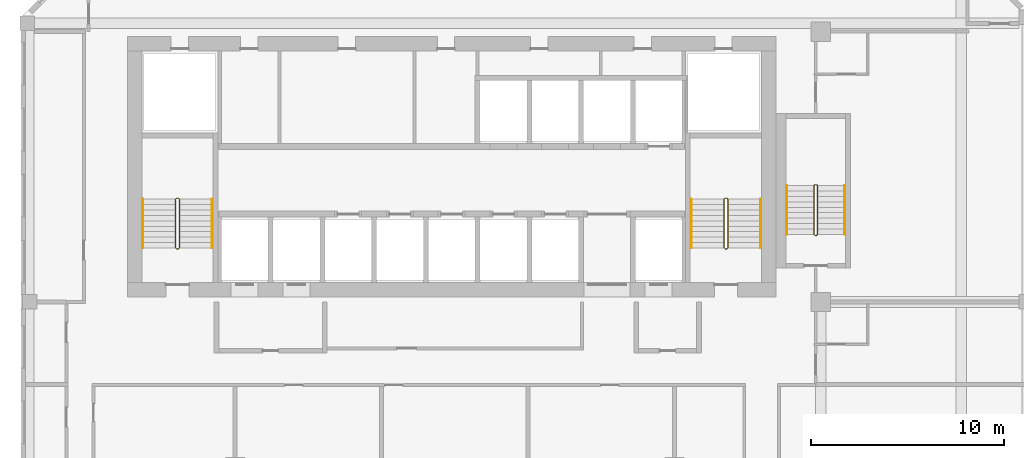
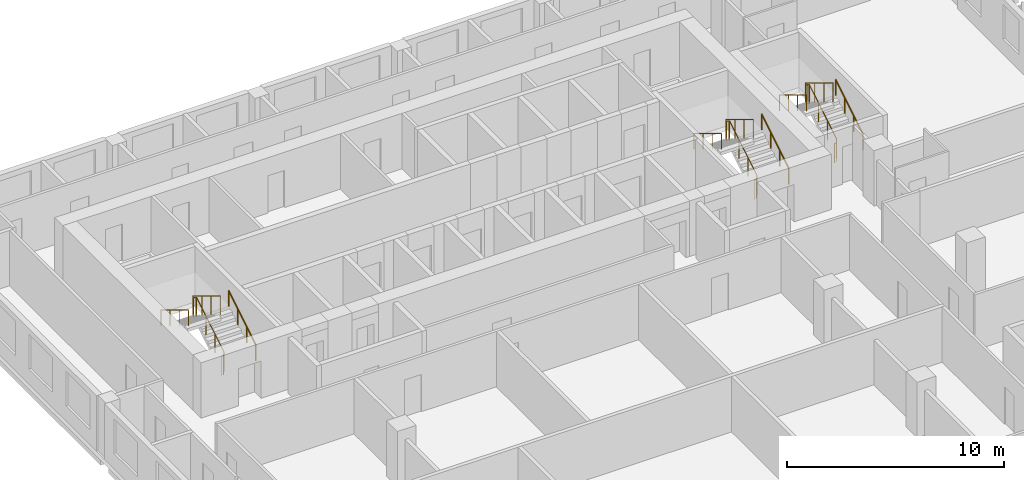
# One storey, part 21 of 22: 9 railings.
"""IFC4 building model written with IfcOpenShell, lengths in metres."""

import ifcopenshell
import ifcopenshell.guid

model = None  # the IFC model being written
_history = None  # IfcOwnerHistory: only IFC2X3 demands one
_inside = {}  # id of a spatial element -> (the spatial element, [elements in it])
_under = {}  # id of a project, library or spatial element -> (it, [spatial elements below it])
_declared = {}  # id of a project -> (the project, [libraries it declares])
_typed = {}  # id of a type object -> (the type object, [elements of that type])
_made_of = {}  # id of a material, layer set ... -> (it, [elements and type objects made of it])


def new_model(schema):
    """Start an empty IFC model of exactly this schema.

    Asked for "IFC4X3", IfcOpenShell would pick the latest addendum, in which some entities
    have other attributes; the version numbers below select the first issue.
    IFC2X3 requires an IfcOwnerHistory on every rooted entity: one is made here for all.
    """
    global model, _history
    if schema == "IFC4X3":
        model = ifcopenshell.file(schema_version=(4, 3, 0, 0))
    else:
        model = ifcopenshell.file(schema=schema)
    _inside.clear()
    _under.clear()
    _declared.clear()
    _typed.clear()
    _made_of.clear()
    _history = None
    if model.schema == "IFC2X3":
        org = make("IfcOrganization", Name="unknown")
        user = make(
            "IfcPersonAndOrganization",
            ThePerson=make("IfcPerson", FamilyName="unknown"),
            TheOrganization=org,
        )
        app = make(
            "IfcApplication",
            ApplicationDeveloper=org,
            Version="unknown",
            ApplicationFullName="unknown",
            ApplicationIdentifier="unknown",
        )
        _history = make(
            "IfcOwnerHistory",
            OwningUser=user,
            OwningApplication=app,
            ChangeAction="ADDED",
            CreationDate=0,
        )
    return model


def make(cls, **values):
    """One entity of the class cls with the attributes given. An attribute that is None is left unset."""
    return model.create_entity(
        cls, **{name: value for name, value in values.items() if value is not None}
    )


def rooted(cls, **values):
    """An entity with a GlobalId (a new one), such as an element, a storey or a relation."""
    return make(cls, GlobalId=ifcopenshell.guid.new(), OwnerHistory=_history, **values)


def si_unit(unit_type, name, prefix=None):
    """IfcSIUnit, for example si_unit("LENGTHUNIT", "METRE", prefix="MILLI")."""
    return make("IfcSIUnit", UnitType=unit_type, Prefix=prefix, Name=name)


def assignment(units):
    """IfcUnitAssignment: the units of a project."""
    return None if units is None else make("IfcUnitAssignment", Units=units)


def point(xyz):
    """IfcCartesianPoint."""
    return None if xyz is None else make("IfcCartesianPoint", Coordinates=xyz)


def direction(xyz):
    """IfcDirection."""
    return None if xyz is None else make("IfcDirection", DirectionRatios=xyz)


def frame(location, z_axis=None, x_axis=None):
    """IfcAxis2Placement3D, a coordinate frame: its origin and axes. An axis left out is left unset."""
    return make(
        "IfcAxis2Placement3D",
        Location=point(location),
        Axis=direction(z_axis),
        RefDirection=direction(x_axis),
    )


def frame_2d(location, x_axis=None):
    """IfcAxis2Placement2D, a coordinate frame in the plane: its origin and x axis."""
    return make(
        "IfcAxis2Placement2D", Location=point(location), RefDirection=direction(x_axis)
    )


def origin():
    """The frame at (0, 0, 0) with its axes left unset."""
    return frame((0.0, 0.0, 0.0))


def origin_2d():
    """The frame at (0, 0) in the plane with its x axis left unset."""
    return frame_2d((0.0, 0.0))


def place(relative_to, where):
    """IfcLocalPlacement: puts the frame where relative to a parent placement (None: the world)."""
    return make(
        "IfcLocalPlacement", PlacementRelTo=relative_to, RelativePlacement=where
    )


def context(
    kind, dimensions, precision=None, world=None, true_north=None, identifier=None
):
    """IfcGeometricRepresentationContext, for example the 3D "Model" context."""
    return make(
        "IfcGeometricRepresentationContext",
        ContextIdentifier=identifier,
        ContextType=kind,
        CoordinateSpaceDimension=dimensions,
        Precision=precision,
        WorldCoordinateSystem=world,
        TrueNorth=true_north,
    )


def subcontext(parent, identifier, kind, view, scale=None):
    """IfcGeometricRepresentationSubContext, for example "Body" below "Model"."""
    return make(
        "IfcGeometricRepresentationSubContext",
        ContextIdentifier=identifier,
        ContextType=kind,
        ParentContext=parent,
        TargetScale=scale,
        TargetView=view,
    )


def project(units=None, contexts=None):
    """IfcProject with its units and contexts."""
    return rooted(
        "IfcProject",
        Name="project",
        RepresentationContexts=contexts,
        UnitsInContext=assignment(units),
    )


def spatial(cls, under=None, at=None, **own):
    """A site, building, storey or space (cls), placed at a placement, below another one or the project."""
    s = rooted(cls, ObjectPlacement=at, **own)
    if under is not None:
        _under.setdefault(under.id(), (under, []))[1].append(s)
    return s


def profile(cls, at=None, kind="AREA", **sizes):
    """A parametric profile (cls). Its sizes go by their IFC names, for example OverallWidth=200.0."""
    return make(cls, ProfileType=kind, Position=at, **sizes)


def circle(**sizes):
    """IfcCircleProfileDef."""
    return profile("IfcCircleProfileDef", **sizes)


def extrude(swept, where, along, depth):
    """IfcExtrudedAreaSolid: the profile swept, set in the frame where, extruded along a direction by depth."""
    return make(
        "IfcExtrudedAreaSolid",
        SweptArea=swept,
        Position=where,
        ExtrudedDirection=direction(along),
        Depth=depth,
    )


def shape(context_of_items, identifier, shape_type, items):
    """IfcShapeRepresentation: the items that make up one representation, for example the "Body"."""
    return make(
        "IfcShapeRepresentation",
        ContextOfItems=context_of_items,
        RepresentationIdentifier=identifier,
        RepresentationType=shape_type,
        Items=items,
    )


def material(Name=None, Category=None):
    """IfcMaterial."""
    return make("IfcMaterial", Name=Name, Category=Category)


def made_of(thing, what):
    """Note that an element or type object is made of a material, layer set ...; save() writes the relation."""
    if what is not None:
        _made_of.setdefault(what.id(), (what, []))[1].append(thing)
    return thing


def type_object(cls, material=None, **own):
    """A type object (cls), such as IfcWallType, which elements share."""
    return made_of(rooted(cls, **own), material)


def element(
    cls,
    number,
    at=None,
    inside=None,
    cuts=None,
    type_object=None,
    material=None,
    context=None,
    identifier="Body",
    shape_type=None,
    held_by="IfcProductDefinitionShape",
    body=None,
    shapes=None,
    **own,
):
    """One element of the class cls, such as IfcWall. Its Tag is "e" and its number.

    at: its placement. inside: the storey or other place that contains it. cuts: it is an
    opening in that element (IfcRelVoidsElement). A single representation is given by context,
    identifier, shape_type and body (its items); several are given by shapes. held_by: the class
    of the entity that holds the representations. save() writes the other relations.
    """
    e = rooted(cls, Tag="e%d" % number, ObjectPlacement=at, **own)
    if body is not None:
        shapes = [shape(context, identifier, shape_type, body)]
    if shapes is not None:
        e.Representation = make(held_by, Representations=shapes)
    if inside is not None:
        _inside.setdefault(inside.id(), (inside, []))[1].append(e)
    if cuts is not None:
        rooted(
            "IfcRelVoidsElement", RelatingBuildingElement=cuts, RelatedOpeningElement=e
        )
    if type_object is not None:
        _typed.setdefault(type_object.id(), (type_object, []))[1].append(e)
    return made_of(e, material)


def aggregate(whole, parts):
    """IfcRelAggregates: a whole, such as a stair, and the parts it consists of."""
    return rooted("IfcRelAggregates", RelatingObject=whole, RelatedObjects=parts)


def save(model, path):
    """Write the relations noted so far, then the file.

    IfcRelAggregates (storeys below a building ...), IfcRelContainedInSpatialStructure (elements
    in a storey), IfcRelDefinesByType, IfcRelAssociatesMaterial and IfcRelDeclares: one each for
    every whole, place, type object, material and project.
    """
    for whole, parts in _under.values():
        aggregate(whole, parts)
    for where, things in _inside.values():
        rooted(
            "IfcRelContainedInSpatialStructure",
            RelatedElements=things,
            RelatingStructure=where,
        )
    for kind, things in _typed.values():
        rooted("IfcRelDefinesByType", RelatedObjects=things, RelatingType=kind)
    for what, things in _made_of.values():
        rooted("IfcRelAssociatesMaterial", RelatedObjects=things, RelatingMaterial=what)
    for by, libraries in _declared.values():
        rooted("IfcRelDeclares", RelatingContext=by, RelatedDefinitions=libraries)
    model.write(path)


model = new_model("IFC4")

# Units and contexts
model_context = context("Model", 3, precision=1e-05, world=origin(), true_north=direction((0.0, 1.0)))
body_context = subcontext(model_context, "Body", "Model", "MODEL_VIEW")
ifc_project = project(units=[si_unit("LENGTHUNIT", "METRE"), si_unit("AREAUNIT", "SQUARE_METRE"), si_unit("VOLUMEUNIT", "CUBIC_METRE"), si_unit("PLANEANGLEUNIT", "RADIAN"), si_unit("MASSUNIT", "GRAM", prefix="KILO")], contexts=[model_context])

# Site, building, storey
site_placement = place(None, origin())
site = spatial("IfcSite", under=ifc_project, at=site_placement, CompositionType="ELEMENT")
building_placement = place(site_placement, origin())
building = spatial("IfcBuilding", under=site, at=building_placement, Name="Kilnfold Tower and Market Hall", CompositionType="ELEMENT")
storey_placement = place(building_placement, frame((0.0, 0.0, 206.699951171875)))
storey = spatial("IfcBuildingStorey", under=building, at=storey_placement, Name="L50", CompositionType="ELEMENT", Elevation=206.699951171875)

# Railings
ifc_material_1 = material(Name="Stainless steel 316", Category="steel")
railing_type_1 = type_object("IfcRailingType", Name="CORE STAIR GUARD 1100", PredefinedType="GUARDRAIL", material=ifc_material_1)
railing_1_placement = place(storey_placement, frame((-13.199951171875, 10.75, 0.0)))
element("IfcRailing", 1, at=railing_1_placement, inside=storey, type_object=railing_type_1, Name="L50 ST1 stair guard 1", PredefinedType="GUARDRAIL", context=body_context, shape_type="SweptSolid", body=[
    extrude(circle(Radius=0.02392578125, at=origin_2d()), frame((0.0, 0.0, 1.076171875), z_axis=(1.0, 0.0, 0.0), x_axis=(0.0, 1.0, 0.0)), (0.0, 0.0, 1.0), 0.099853515625),
    extrude(circle(Radius=0.02392578125, at=origin_2d()), frame((0.099853515625, 0.0, 1.076171875), z_axis=(0.271562723297, 0.271562723297, 0.923313259209), x_axis=(-0.707106781187, 0.707106781187, 0.0)), (0.0, 0.0, 1.0), 0.184326171875),
    extrude(circle(Radius=0.02392578125, at=origin_2d()), frame((0.14990234375, 0.050048828125, 1.24609375), z_axis=(0.0, 0.854821627497, 0.518921945155), x_axis=(-1.0, 0.0, 0.0)), (0.0, 0.0, 1.0), 2.947998046875),
    extrude(circle(Radius=0.02392578125, at=origin_2d()), frame((0.14990234375, 2.570068359375, 2.77587890625), z_axis=(-0.707106781187, 0.707106781187, 0.0), x_axis=(-0.707106781187, -0.707106781187, 0.0)), (0.0, 0.0, 1.0), 0.07080078125),
    extrude(circle(Radius=0.02392578125, at=origin_2d()), frame((0.099853515625, 2.6201171875, 2.77587890625), z_axis=(-1.0, 0.0, 0.0), x_axis=(0.0, -1.0, 0.0)), (0.0, 0.0, 1.0), 0.099853515625),
    extrude(circle(Radius=0.02392578125, at=origin_2d()), frame((0.0, 2.6201171875, 2.77587890625), z_axis=(-0.271562723297, -0.271562723297, 0.923313259209), x_axis=(0.707106781187, -0.707106781187, 0.0)), (0.0, 0.0, 1.0), 0.184326171875),
    extrude(circle(Radius=0.02392578125, at=origin_2d()), frame((-0.050048828125, 2.570068359375, 2.9462890625), z_axis=(0.0, -0.85478489116, 0.518982456201), x_axis=(1.0, 0.0, 0.0)), (0.0, 0.0, 1.0), 2.9482421875),
    extrude(circle(Radius=0.02099609375, at=origin_2d()), origin(), (0.0, 0.0, 1.0), 1.052001953125),
    extrude(circle(Radius=0.02099609375, at=origin_2d()), frame((0.099853515625, 0.0, 0.0)), (0.0, 0.0, 1.0), 1.052001953125),
    extrude(circle(Radius=0.02099609375, at=origin_2d()), frame((0.14990234375, 0.050048828125, 0.170166015625)), (0.0, 0.0, 1.0), 1.052001953125),
    extrude(circle(Radius=0.02099609375, at=origin_2d()), frame((0.14990234375, 0.89013671875, 0.68017578125)), (0.0, 0.0, 1.0), 1.052001953125),
    extrude(circle(Radius=0.02099609375, at=origin_2d()), frame((0.14990234375, 1.72998046875, 1.18994140625)), (0.0, 0.0, 1.0), 1.052001953125),
    extrude(circle(Radius=0.02099609375, at=origin_2d()), frame((0.14990234375, 2.570068359375, 1.699951171875)), (0.0, 0.0, 1.0), 1.052001953125),
    extrude(circle(Radius=0.02099609375, at=origin_2d()), frame((0.099853515625, 2.6201171875, 1.699951171875)), (0.0, 0.0, 1.0), 1.052001953125),
    extrude(circle(Radius=0.02099609375, at=origin_2d()), frame((0.0, 2.6201171875, 1.699951171875)), (0.0, 0.0, 1.0), 1.052001953125),
    extrude(circle(Radius=0.02099609375, at=origin_2d()), frame((-0.050048828125, 2.570068359375, 1.8701171875)), (0.0, 0.0, 1.0), 1.052001953125),
    extrude(circle(Radius=0.02099609375, at=origin_2d()), frame((-0.050048828125, 1.72998046875, 2.380126953125)), (0.0, 0.0, 1.0), 1.052001953125),
    extrude(circle(Radius=0.02099609375, at=origin_2d()), frame((-0.050048828125, 0.89013671875, 2.89013671875)), (0.0, 0.0, 1.0), 1.052001953125),
    extrude(circle(Radius=0.02099609375, at=origin_2d()), frame((-0.050048828125, 0.050048828125, 3.400146484375)), (0.0, 0.0, 1.0), 1.052001953125),
])
railing_2_placement = place(storey_placement, frame((15.199951171875, 10.75, 0.0)))
element("IfcRailing", 2, at=railing_2_placement, inside=storey, type_object=railing_type_1, Name="L50 ST2 stair guard 1", PredefinedType="GUARDRAIL", context=body_context, shape_type="SweptSolid", body=[
    extrude(circle(Radius=0.02392578125, at=origin_2d()), frame((0.0, 0.0, 1.076171875), z_axis=(1.0, 0.0, 0.0), x_axis=(0.0, 1.0, 0.0)), (0.0, 0.0, 1.0), 0.10009765625),
    extrude(circle(Radius=0.02392578125, at=origin_2d()), frame((0.10009765625, 0.0, 1.076171875), z_axis=(0.271562723297, 0.271562723297, 0.923313259209), x_axis=(-0.707106781187, 0.707106781187, 0.0)), (0.0, 0.0, 1.0), 0.184326171875),
    extrude(circle(Radius=0.02392578125, at=origin_2d()), frame((0.150146484375, 0.050048828125, 1.24609375), z_axis=(0.0, 0.854821627497, 0.518921945155), x_axis=(-1.0, 0.0, 0.0)), (0.0, 0.0, 1.0), 2.947998046875),
    extrude(circle(Radius=0.02392578125, at=origin_2d()), frame((0.150146484375, 2.570068359375, 2.77587890625), z_axis=(-0.707106781187, 0.707106781187, 0.0), x_axis=(-0.707106781187, -0.707106781187, 0.0)), (0.0, 0.0, 1.0), 0.07080078125),
    extrude(circle(Radius=0.02392578125, at=origin_2d()), frame((0.10009765625, 2.6201171875, 2.77587890625), z_axis=(-1.0, 0.0, 0.0), x_axis=(0.0, -1.0, 0.0)), (0.0, 0.0, 1.0), 0.10009765625),
    extrude(circle(Radius=0.02392578125, at=origin_2d()), frame((0.0, 2.6201171875, 2.77587890625), z_axis=(-0.271562723297, -0.271562723297, 0.923313259209), x_axis=(0.707106781187, -0.707106781187, 0.0)), (0.0, 0.0, 1.0), 0.184326171875),
    extrude(circle(Radius=0.02392578125, at=origin_2d()), frame((-0.050048828125, 2.570068359375, 2.9462890625), z_axis=(0.0, -0.85478489116, 0.518982456201), x_axis=(1.0, 0.0, 0.0)), (0.0, 0.0, 1.0), 2.9482421875),
    extrude(circle(Radius=0.02099609375, at=origin_2d()), origin(), (0.0, 0.0, 1.0), 1.052001953125),
    extrude(circle(Radius=0.02099609375, at=origin_2d()), frame((0.10009765625, 0.0, 0.0)), (0.0, 0.0, 1.0), 1.052001953125),
    extrude(circle(Radius=0.02099609375, at=origin_2d()), frame((0.150146484375, 0.050048828125, 0.170166015625)), (0.0, 0.0, 1.0), 1.052001953125),
    extrude(circle(Radius=0.02099609375, at=origin_2d()), frame((0.150146484375, 0.89013671875, 0.68017578125)), (0.0, 0.0, 1.0), 1.052001953125),
    extrude(circle(Radius=0.02099609375, at=origin_2d()), frame((0.150146484375, 1.72998046875, 1.18994140625)), (0.0, 0.0, 1.0), 1.052001953125),
    extrude(circle(Radius=0.02099609375, at=origin_2d()), frame((0.150146484375, 2.570068359375, 1.699951171875)), (0.0, 0.0, 1.0), 1.052001953125),
    extrude(circle(Radius=0.02099609375, at=origin_2d()), frame((0.10009765625, 2.6201171875, 1.699951171875)), (0.0, 0.0, 1.0), 1.052001953125),
    extrude(circle(Radius=0.02099609375, at=origin_2d()), frame((0.0, 2.6201171875, 1.699951171875)), (0.0, 0.0, 1.0), 1.052001953125),
    extrude(circle(Radius=0.02099609375, at=origin_2d()), frame((-0.050048828125, 2.570068359375, 1.8701171875)), (0.0, 0.0, 1.0), 1.052001953125),
    extrude(circle(Radius=0.02099609375, at=origin_2d()), frame((-0.050048828125, 1.72998046875, 2.380126953125)), (0.0, 0.0, 1.0), 1.052001953125),
    extrude(circle(Radius=0.02099609375, at=origin_2d()), frame((-0.050048828125, 0.89013671875, 2.89013671875)), (0.0, 0.0, 1.0), 1.052001953125),
    extrude(circle(Radius=0.02099609375, at=origin_2d()), frame((-0.050048828125, 0.050048828125, 3.400146484375)), (0.0, 0.0, 1.0), 1.052001953125),
])
railing_3_placement = place(storey_placement, frame((19.85009765625, 11.449951171875, 0.0)))
element("IfcRailing", 3, at=railing_3_placement, inside=storey, type_object=railing_type_1, Name="L50 ST5 stair guard 1", PredefinedType="GUARDRAIL", context=body_context, shape_type="SweptSolid", body=[
    extrude(circle(Radius=0.02392578125, at=origin_2d()), frame((0.0, 0.0, 1.076171875), z_axis=(1.0, 0.0, 0.0), x_axis=(0.0, 1.0, 0.0)), (0.0, 0.0, 1.0), 0.099853515625),
    extrude(circle(Radius=0.02392578125, at=origin_2d()), frame((0.099853515625, 0.0, 1.076171875), z_axis=(0.271562723297, 0.271562723297, 0.923313259209), x_axis=(-0.707106781187, 0.707106781187, 0.0)), (0.0, 0.0, 1.0), 0.184326171875),
    extrude(circle(Radius=0.02392578125, at=origin_2d()), frame((0.14990234375, 0.050048828125, 1.24609375), z_axis=(0.0, 0.854821627497, 0.518921945155), x_axis=(-1.0, 0.0, 0.0)), (0.0, 0.0, 1.0), 2.947998046875),
    extrude(circle(Radius=0.02392578125, at=origin_2d()), frame((0.14990234375, 2.570068359375, 2.77587890625), z_axis=(-0.707106781187, 0.707106781187, 0.0), x_axis=(-0.707106781187, -0.707106781187, 0.0)), (0.0, 0.0, 1.0), 0.07080078125),
    extrude(circle(Radius=0.02392578125, at=origin_2d()), frame((0.099853515625, 2.6201171875, 2.77587890625), z_axis=(-1.0, 0.0, 0.0), x_axis=(0.0, -1.0, 0.0)), (0.0, 0.0, 1.0), 0.099853515625),
    extrude(circle(Radius=0.02392578125, at=origin_2d()), frame((0.0, 2.6201171875, 2.77587890625), z_axis=(-0.271562723297, -0.271562723297, 0.923313259209), x_axis=(0.707106781187, -0.707106781187, 0.0)), (0.0, 0.0, 1.0), 0.184326171875),
    extrude(circle(Radius=0.02392578125, at=origin_2d()), frame((-0.050048828125, 2.570068359375, 2.9462890625), z_axis=(0.0, -0.85478489116, 0.518982456201), x_axis=(1.0, 0.0, 0.0)), (0.0, 0.0, 1.0), 2.9482421875),
    extrude(circle(Radius=0.02099609375, at=origin_2d()), origin(), (0.0, 0.0, 1.0), 1.052001953125),
    extrude(circle(Radius=0.02099609375, at=origin_2d()), frame((0.099853515625, 0.0, 0.0)), (0.0, 0.0, 1.0), 1.052001953125),
    extrude(circle(Radius=0.02099609375, at=origin_2d()), frame((0.14990234375, 0.050048828125, 0.170166015625)), (0.0, 0.0, 1.0), 1.052001953125),
    extrude(circle(Radius=0.02099609375, at=origin_2d()), frame((0.14990234375, 0.89013671875, 0.68017578125)), (0.0, 0.0, 1.0), 1.052001953125),
    extrude(circle(Radius=0.02099609375, at=origin_2d()), frame((0.14990234375, 1.72998046875, 1.18994140625)), (0.0, 0.0, 1.0), 1.052001953125),
    extrude(circle(Radius=0.02099609375, at=origin_2d()), frame((0.14990234375, 2.570068359375, 1.699951171875)), (0.0, 0.0, 1.0), 1.052001953125),
    extrude(circle(Radius=0.02099609375, at=origin_2d()), frame((0.099853515625, 2.6201171875, 1.699951171875)), (0.0, 0.0, 1.0), 1.052001953125),
    extrude(circle(Radius=0.02099609375, at=origin_2d()), frame((0.0, 2.6201171875, 1.699951171875)), (0.0, 0.0, 1.0), 1.052001953125),
    extrude(circle(Radius=0.02099609375, at=origin_2d()), frame((-0.050048828125, 2.570068359375, 1.8701171875)), (0.0, 0.0, 1.0), 1.052001953125),
    extrude(circle(Radius=0.02099609375, at=origin_2d()), frame((-0.050048828125, 1.72998046875, 2.380126953125)), (0.0, 0.0, 1.0), 1.052001953125),
    extrude(circle(Radius=0.02099609375, at=origin_2d()), frame((-0.050048828125, 0.89013671875, 2.89013671875)), (0.0, 0.0, 1.0), 1.052001953125),
    extrude(circle(Radius=0.02099609375, at=origin_2d()), frame((-0.050048828125, 0.050048828125, 3.400146484375)), (0.0, 0.0, 1.0), 1.052001953125),
])
ifc_material_2 = material(Name="Stainless steel 316", Category="steel")
railing_type_2 = type_object("IfcRailingType", Name="CORE STAIR HANDRAIL 900", PredefinedType="HANDRAIL", material=ifc_material_2)
railing_4_placement = place(storey_placement, frame((-11.35009765625, 10.800048828125, 0.170166015625)))
element("IfcRailing", 4, at=railing_4_placement, inside=storey, type_object=railing_type_2, Name="L50 ST1 stair handrail 1", PredefinedType="HANDRAIL", context=body_context, shape_type="SweptSolid", body=[
    extrude(circle(Radius=0.02392578125, at=origin_2d()), frame((0.0, 0.0, 0.8759765625), z_axis=(0.0, 0.854821627497, 0.518921945155), x_axis=(-1.0, 0.0, 0.0)), (0.0, 0.0, 1.0), 2.947998046875),
    extrude(circle(Radius=0.02099609375, at=origin_2d()), origin(), (0.0, 0.0, 1.0), 0.851806640625),
    extrude(circle(Radius=0.02099609375, at=origin_2d()), frame((0.0, 0.840087890625, 0.510009765625)), (0.0, 0.0, 1.0), 0.851806640625),
    extrude(circle(Radius=0.02099609375, at=origin_2d()), frame((0.0, 1.679931640625, 1.019775390625)), (0.0, 0.0, 1.0), 0.851806640625),
    extrude(circle(Radius=0.02099609375, at=origin_2d()), frame((0.0, 2.52001953125, 1.52978515625)), (0.0, 0.0, 1.0), 0.851806640625),
])
railing_5_placement = place(storey_placement, frame((-14.949951171875, 13.320068359375, 1.8701171875)))
element("IfcRailing", 5, at=railing_5_placement, inside=storey, type_object=railing_type_2, Name="L50 ST1 stair handrail 2", PredefinedType="HANDRAIL", context=body_context, shape_type="SweptSolid", body=[
    extrude(circle(Radius=0.02392578125, at=origin_2d()), frame((0.0, 0.0, 0.8759765625), z_axis=(0.0, -0.85478489116, 0.518982456201), x_axis=(1.0, 0.0, 0.0)), (0.0, 0.0, 1.0), 2.9482421875),
    extrude(circle(Radius=0.02099609375, at=origin_2d()), origin(), (0.0, 0.0, 1.0), 0.851806640625),
    extrude(circle(Radius=0.02099609375, at=origin_2d()), frame((0.0, -0.840087890625, 0.510009765625)), (0.0, 0.0, 1.0), 0.851806640625),
    extrude(circle(Radius=0.02099609375, at=origin_2d()), frame((0.0, -1.679931640625, 1.02001953125)), (0.0, 0.0, 1.0), 0.851806640625),
    extrude(circle(Radius=0.02099609375, at=origin_2d()), frame((0.0, -2.52001953125, 1.530029296875)), (0.0, 0.0, 1.0), 0.851806640625),
])
railing_6_placement = place(storey_placement, frame((17.050048828125, 10.800048828125, 0.170166015625)))
element("IfcRailing", 6, at=railing_6_placement, inside=storey, type_object=railing_type_2, Name="L50 ST2 stair handrail 1", PredefinedType="HANDRAIL", context=body_context, shape_type="SweptSolid", body=[
    extrude(circle(Radius=0.02392578125, at=origin_2d()), frame((0.0, 0.0, 0.8759765625), z_axis=(0.0, 0.854821627497, 0.518921945155), x_axis=(-1.0, 0.0, 0.0)), (0.0, 0.0, 1.0), 2.947998046875),
    extrude(circle(Radius=0.02099609375, at=origin_2d()), origin(), (0.0, 0.0, 1.0), 0.851806640625),
    extrude(circle(Radius=0.02099609375, at=origin_2d()), frame((0.0, 0.840087890625, 0.510009765625)), (0.0, 0.0, 1.0), 0.851806640625),
    extrude(circle(Radius=0.02099609375, at=origin_2d()), frame((0.0, 1.679931640625, 1.019775390625)), (0.0, 0.0, 1.0), 0.851806640625),
    extrude(circle(Radius=0.02099609375, at=origin_2d()), frame((0.0, 2.52001953125, 1.52978515625)), (0.0, 0.0, 1.0), 0.851806640625),
])
railing_7_placement = place(storey_placement, frame((13.449951171875, 13.320068359375, 1.8701171875)))
element("IfcRailing", 7, at=railing_7_placement, inside=storey, type_object=railing_type_2, Name="L50 ST2 stair handrail 2", PredefinedType="HANDRAIL", context=body_context, shape_type="SweptSolid", body=[
    extrude(circle(Radius=0.02392578125, at=origin_2d()), frame((0.0, 0.0, 0.8759765625), z_axis=(0.0, -0.85478489116, 0.518982456201), x_axis=(1.0, 0.0, 0.0)), (0.0, 0.0, 1.0), 2.9482421875),
    extrude(circle(Radius=0.02099609375, at=origin_2d()), origin(), (0.0, 0.0, 1.0), 0.851806640625),
    extrude(circle(Radius=0.02099609375, at=origin_2d()), frame((0.0, -0.840087890625, 0.510009765625)), (0.0, 0.0, 1.0), 0.851806640625),
    extrude(circle(Radius=0.02099609375, at=origin_2d()), frame((0.0, -1.679931640625, 1.02001953125)), (0.0, 0.0, 1.0), 0.851806640625),
    extrude(circle(Radius=0.02099609375, at=origin_2d()), frame((0.0, -2.52001953125, 1.530029296875)), (0.0, 0.0, 1.0), 0.851806640625),
])
railing_8_placement = place(storey_placement, frame((21.39990234375, 11.5, 0.170166015625)))
element("IfcRailing", 8, at=railing_8_placement, inside=storey, type_object=railing_type_2, Name="L50 ST5 stair handrail 1", PredefinedType="HANDRAIL", context=body_context, shape_type="SweptSolid", body=[
    extrude(circle(Radius=0.02392578125, at=origin_2d()), frame((0.0, 0.0, 0.8759765625), z_axis=(0.0, 0.854821627497, 0.518921945155), x_axis=(-1.0, 0.0, 0.0)), (0.0, 0.0, 1.0), 2.947998046875),
    extrude(circle(Radius=0.02099609375, at=origin_2d()), origin(), (0.0, 0.0, 1.0), 0.851806640625),
    extrude(circle(Radius=0.02099609375, at=origin_2d()), frame((0.0, 0.840087890625, 0.510009765625)), (0.0, 0.0, 1.0), 0.851806640625),
    extrude(circle(Radius=0.02099609375, at=origin_2d()), frame((0.0, 1.679931640625, 1.019775390625)), (0.0, 0.0, 1.0), 0.851806640625),
    extrude(circle(Radius=0.02099609375, at=origin_2d()), frame((0.0, 2.52001953125, 1.52978515625)), (0.0, 0.0, 1.0), 0.851806640625),
])
railing_9_placement = place(storey_placement, frame((18.39990234375, 14.02001953125, 1.8701171875)))
element("IfcRailing", 9, at=railing_9_placement, inside=storey, type_object=railing_type_2, Name="L50 ST5 stair handrail 2", PredefinedType="HANDRAIL", context=body_context, shape_type="SweptSolid", body=[
    extrude(circle(Radius=0.02392578125, at=origin_2d()), frame((0.0, 0.0, 0.8759765625), z_axis=(0.0, -0.85478489116, 0.518982456201), x_axis=(1.0, 0.0, 0.0)), (0.0, 0.0, 1.0), 2.9482421875),
    extrude(circle(Radius=0.02099609375, at=origin_2d()), origin(), (0.0, 0.0, 1.0), 0.851806640625),
    extrude(circle(Radius=0.02099609375, at=origin_2d()), frame((0.0, -0.840087890625, 0.510009765625)), (0.0, 0.0, 1.0), 0.851806640625),
    extrude(circle(Radius=0.02099609375, at=origin_2d()), frame((0.0, -1.679931640625, 1.02001953125)), (0.0, 0.0, 1.0), 0.851806640625),
    extrude(circle(Radius=0.02099609375, at=origin_2d()), frame((0.0, -2.52001953125, 1.530029296875)), (0.0, 0.0, 1.0), 0.851806640625),
])

save(model, "model.ifc")
